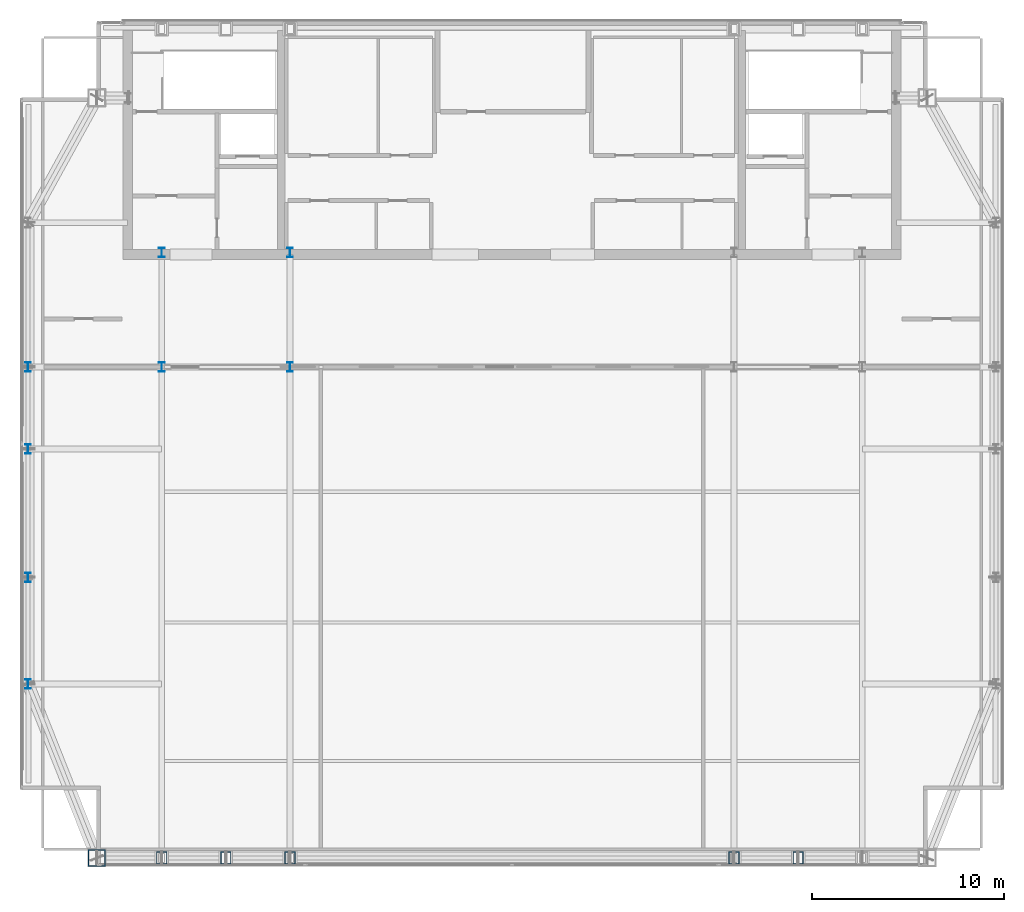
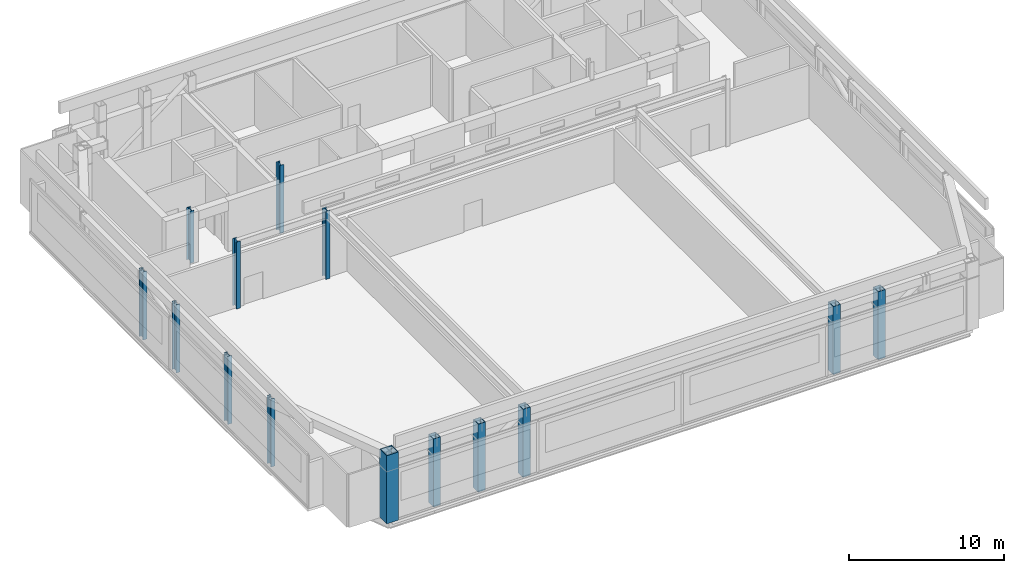
# One storey, part 1 of 24: 14 columns.
"""IFC4 building model written with IfcOpenShell, lengths in metres."""

from ifc_helpers import new_model, si_unit, direction, frame, origin, origin_2d, place, context, subcontext, project, spatial, hollow_rectangle, i_section, extrude, material, material_profile, profile_set, type_object, element, save


model = new_model("IFC4")

# Units and contexts
model_context = context("Model", 3, precision=1e-05, world=origin(), true_north=direction((0.0, 1.0)))
body_context = subcontext(model_context, "Body", "Model", "MODEL_VIEW")
ifc_project = project(units=[si_unit("LENGTHUNIT", "METRE"), si_unit("AREAUNIT", "SQUARE_METRE"), si_unit("VOLUMEUNIT", "CUBIC_METRE"), si_unit("PLANEANGLEUNIT", "RADIAN"), si_unit("MASSUNIT", "GRAM", prefix="KILO")], contexts=[model_context])

# Site, building, storey
site_placement = place(None, origin())
site = spatial("IfcSite", under=ifc_project, at=site_placement, CompositionType="ELEMENT")
building_placement = place(site_placement, origin())
building = spatial("IfcBuilding", under=site, at=building_placement, Name="Khoronbel Lancet Exchange", CompositionType="ELEMENT")
storey_placement = place(building_placement, frame((0.0, 0.0, 378.60009765625)))
storey = spatial("IfcBuildingStorey", under=building, at=storey_placement, Name="L96", CompositionType="ELEMENT", Elevation=378.60009765625)

# Columns
ifc_material_1 = material(Name="Steel S355", Category="steel")
ifc_material_profile_1 = material_profile(ifc_material_1, i_section(OverallWidth=0.300048828125, OverallDepth=0.5, WebThickness=0.014404296875, FlangeThickness=0.028076171875, at=origin_2d()), Name="HEB 500")
ifc_profile_set_1 = profile_set([ifc_material_profile_1], Name="Steel S355")
column_type_1 = type_object("IfcColumnType", Name="COL-CRC1", PredefinedType="COLUMN", material=ifc_profile_set_1)
for number, where, z_axis, x_axis, name in (
    (1, (11.27001953125, 19.199951171875, 0.0), (0.0, 0.0, 1.0), (1.0, 0.0, 0.0), "CROWN FRAME column WC-1 L96"),
    (2, (11.27001953125, 24.75, 0.0), (0.0, 0.0, 1.0), (1.0, 0.0, 0.0), "CROWN FRAME column WC-2 L96"),
    (3, (11.27001953125, 31.425048828125, 0.0), (0.0, 0.0, 1.0), (1.0, 0.0, 0.0), "CROWN FRAME column WC-M L96"),
    (4, (11.27001953125, 35.699951171875, 0.0), (0.0, 0.0, 1.0), (1.0, 0.0, 0.0), "CROWN FRAME column WC-3 L96"),
):
    element("IfcColumn", number, at=place(storey_placement, frame(where, z_axis=z_axis, x_axis=x_axis)), inside=storey, type_object=column_type_1, Name=name, PredefinedType="COLUMN", context=body_context, shape_type="SweptSolid", body=[
        extrude(i_section(OverallWidth=0.300048828125, OverallDepth=0.5, WebThickness=0.014404296875, FlangeThickness=0.028076171875, at=origin_2d()), origin(), (0.0, 0.0, 1.0), 5.35986328125),
    ])
column_1_placement = place(storey_placement, frame((18.22509765625, 35.699951171875, 0.0), z_axis=(0.0, 0.0, 1.0), x_axis=(1.0, 0.0, 0.0)))
element("IfcColumn", 5, at=column_1_placement, inside=storey, type_object=column_type_1, Name="CROWN FRAME spine column TC1 L96", PredefinedType="COLUMN", context=body_context, shape_type="SweptSolid", body=[
    extrude(i_section(OverallWidth=0.300048828125, OverallDepth=0.5, WebThickness=0.014404296875, FlangeThickness=0.028076171875, at=origin_2d()), origin(), (0.0, 0.0, 1.0), 5.27978515625),
])
column_2_placement = place(storey_placement, frame((18.22509765625, 41.64990234375, 0.0), z_axis=(0.0, 0.0, 1.0), x_axis=(1.0, 0.0, 0.0)))
element("IfcColumn", 6, at=column_2_placement, inside=storey, type_object=column_type_1, Name="Core-embedded steel column CTC1 L96", PredefinedType="COLUMN", context=body_context, shape_type="SweptSolid", body=[
    extrude(i_section(OverallWidth=0.300048828125, OverallDepth=0.5, WebThickness=0.014404296875, FlangeThickness=0.028076171875, at=origin_2d()), origin(), (0.0, 0.0, 1.0), 4.099853515625),
])
for number, where, z_axis, x_axis, name in (
    (7, (24.89990234375, 35.699951171875, 0.0), (0.0, 0.0, 1.0), (1.0, 0.0, 0.0), "CROWN FRAME spine column TC2 L96"),
    (8, (24.89990234375, 41.64990234375, 0.0), (0.0, 0.0, 1.0), (1.0, 0.0, 0.0), "Core-embedded steel column CTC2 L96"),
):
    element("IfcColumn", number, at=place(storey_placement, frame(where, z_axis=z_axis, x_axis=x_axis)), inside=storey, type_object=column_type_1, Name=name, PredefinedType="COLUMN", context=body_context, shape_type="SweptSolid", body=[
        extrude(i_section(OverallWidth=0.300048828125, OverallDepth=0.5, WebThickness=0.014404296875, FlangeThickness=0.028076171875, at=origin_2d()), origin(), (0.0, 0.0, 1.0), 5.35986328125),
    ])
ifc_material_2 = material(Name="Steel S460", Category="steel")
ifc_material_profile_2 = material_profile(ifc_material_2, hollow_rectangle(XDim=0.550048828125, YDim=0.64990234375, WallThickness=0.0400390625, at=origin_2d()), Name="BOX 650x550x40")
ifc_profile_set_2 = profile_set([ifc_material_profile_2], Name="Steel S460")
column_type_2 = type_object("IfcColumnType", Name="COL-EC4", PredefinedType="COLUMN", material=ifc_profile_set_2)
for number, where, z_axis, x_axis, name in (
    (9, (18.22509765625, 10.14990234375, 0.0), (0.0, 0.0, 1.0), (1.0, 0.0, 0.0), "CROWN FRAME column SC-W1 L96"),
    (10, (21.5625, 10.14990234375, 0.0), (0.0, 0.0, 1.0), (1.0, 0.0, 0.0), "CROWN FRAME column SC-WM L96"),
    (11, (24.89990234375, 10.14990234375, 0.0), (0.0, 0.0, 1.0), (1.0, 0.0, 0.0), "CROWN FRAME column SC-W2 L96"),
    (12, (48.0, 10.14990234375, 0.0), (0.0, 0.0, 1.0), (1.0, 0.0, 0.0), "CROWN FRAME column SC-E1 L96"),
    (13, (51.33740234375, 10.14990234375, 0.0), (0.0, 0.0, 1.0), (1.0, 0.0, 0.0), "CROWN FRAME column SC-EM L96"),
):
    element("IfcColumn", number, at=place(storey_placement, frame(where, z_axis=z_axis, x_axis=x_axis)), inside=storey, type_object=column_type_2, Name=name, PredefinedType="COLUMN", context=body_context, shape_type="SweptSolid", body=[
        extrude(hollow_rectangle(XDim=0.550048828125, YDim=0.64990234375, WallThickness=0.0400390625, at=origin_2d()), origin(), (0.0, 0.0, 1.0), 5.35986328125),
    ])
ifc_material_profile_3 = material_profile(ifc_material_2, hollow_rectangle(XDim=0.89990234375, YDim=0.89990234375, WallThickness=0.050048828125, at=origin_2d()), Name="BOX 900x900x50")
ifc_profile_set_3 = profile_set([ifc_material_profile_3], Name="Steel S460")
column_type_3 = type_object("IfcColumnType", Name="COL-MC7", PredefinedType="COLUMN", material=ifc_profile_set_3)
column_3_placement = place(storey_placement, frame((14.85009765625, 10.14990234375, 0.0), z_axis=(0.0, 0.0, 1.0), x_axis=(1.0, 0.0, 0.0)))
element("IfcColumn", 14, at=column_3_placement, inside=storey, type_object=column_type_3, Name="CROWN FRAME column MC-SW L96", PredefinedType="COLUMN", context=body_context, shape_type="SweptSolid", body=[
    extrude(hollow_rectangle(XDim=0.89990234375, YDim=0.89990234375, WallThickness=0.050048828125, at=origin_2d()), origin(), (0.0, 0.0, 1.0), 5.35986328125),
])

save(model, "model.ifc")
